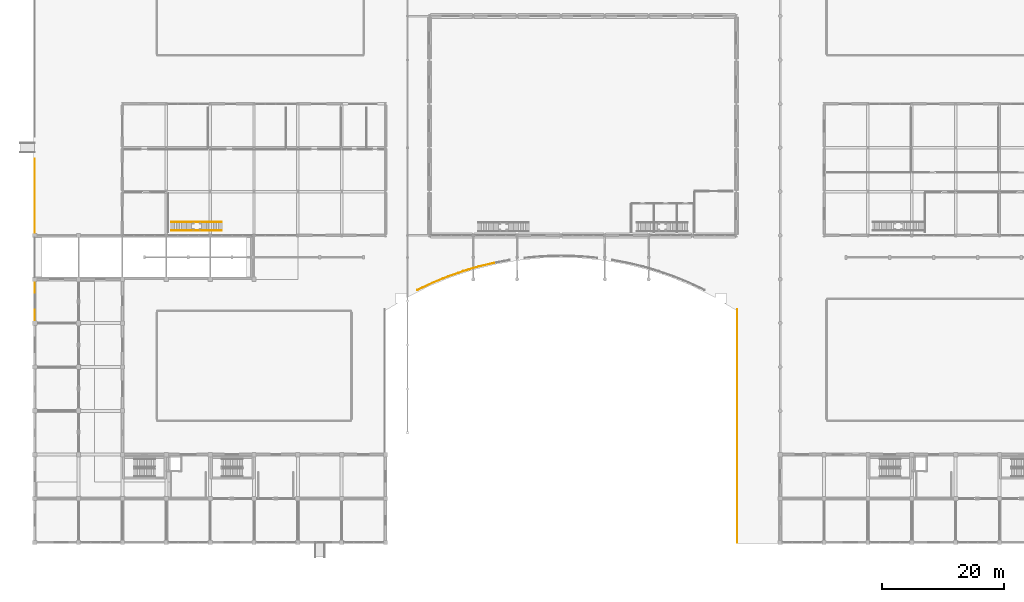
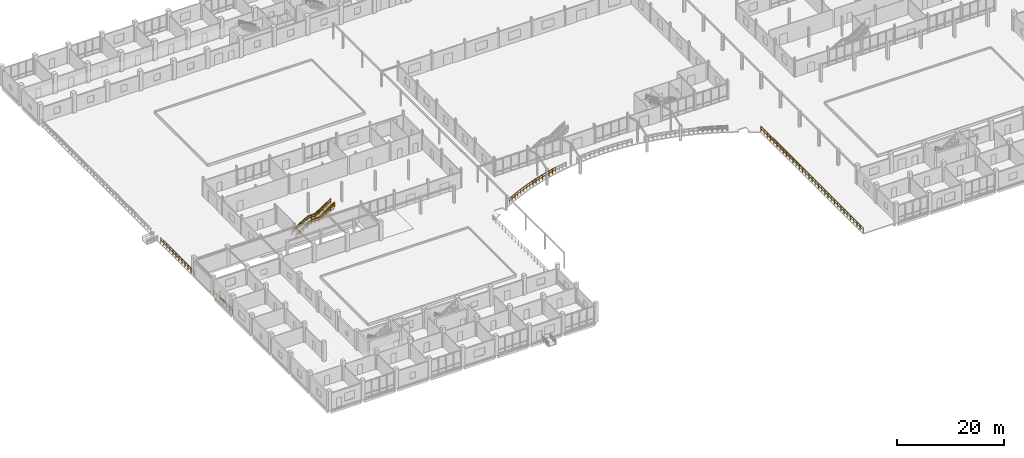
# One storey, part 131 of 139: 20 railings.
"""IFC4 building model written with IfcOpenShell, lengths in metres."""

from ifc_helpers import new_model, si_unit, direction, frame, origin, origin_2d, place, context, subcontext, project, spatial, rectangle, extrude, material, type_object, element, save


model = new_model("IFC4")

# Units and contexts
model_context = context("Model", 3, precision=1e-05, world=origin(), true_north=direction((0.0, 1.0)))
body_context = subcontext(model_context, "Body", "Model", "MODEL_VIEW")
ifc_project = project(units=[si_unit("LENGTHUNIT", "METRE"), si_unit("AREAUNIT", "SQUARE_METRE"), si_unit("VOLUMEUNIT", "CUBIC_METRE"), si_unit("PLANEANGLEUNIT", "RADIAN"), si_unit("MASSUNIT", "GRAM", prefix="KILO")], contexts=[model_context])

# Site, building, storey
site_placement = place(None, origin())
site = spatial("IfcSite", under=ifc_project, at=site_placement, CompositionType="ELEMENT")
building_placement = place(site_placement, origin())
building = spatial("IfcBuilding", under=site, at=building_placement, Name="Suanplinth Sawtooth Commons", CompositionType="ELEMENT")
storey_placement = place(building_placement, origin())
storey = spatial("IfcBuildingStorey", under=building, at=storey_placement, Name="L00", CompositionType="ELEMENT", Elevation=0.0)

# Railings
ifc_material_1 = material(Name="Powder-coated galvanized steel", Category="steel")
railing_type_1 = type_object("IfcRailingType", Name="GR-01", PredefinedType="BALUSTRADE", material=ifc_material_1)
railing_1_placement = place(storey_placement, frame((0.0, 36.10009765625, 0.0)))
element("IfcRailing", 1, at=railing_1_placement, inside=storey, type_object=railing_type_1, Name="Perimeter Plinth Balustrade RLG-PLZ-W1", PredefinedType="BALUSTRADE", context=body_context, shape_type="SweptSolid", body=[
    extrude(rectangle(XDim=0.048095703125, YDim=0.048095703125, at=origin_2d()), frame((0.0, 0.0, 1.09619140625), z_axis=(0.0, 1.0, 0.0), x_axis=(-1.0, 0.0, 0.0)), (0.0, 0.0, 1.0), 7.0498046875),
    extrude(rectangle(XDim=0.03369140625, YDim=0.03369140625, at=origin_2d()), frame((0.0, 0.0, 0.56005859375), z_axis=(0.0, 1.0, 0.0), x_axis=(-1.0, 0.0, 0.0)), (0.0, 0.0, 1.0), 7.0498046875),
    extrude(rectangle(XDim=0.0419921875, YDim=0.0419921875, at=origin_2d()), origin(), (0.0, 0.0, 1.0), 1.072021484375),
    extrude(rectangle(XDim=0.0419921875, YDim=0.0419921875, at=origin_2d()), frame((0.0, 1.175048828125, 0.0)), (0.0, 0.0, 1.0), 1.072021484375),
    extrude(rectangle(XDim=0.0419921875, YDim=0.0419921875, at=origin_2d()), frame((0.0, 2.349853515625, 0.0)), (0.0, 0.0, 1.0), 1.072021484375),
    extrude(rectangle(XDim=0.0419921875, YDim=0.0419921875, at=origin_2d()), frame((0.0, 3.52490234375, 0.0)), (0.0, 0.0, 1.0), 1.072021484375),
    extrude(rectangle(XDim=0.0419921875, YDim=0.0419921875, at=origin_2d()), frame((0.0, 4.699951171875, 0.0)), (0.0, 0.0, 1.0), 1.072021484375),
    extrude(rectangle(XDim=0.0419921875, YDim=0.0419921875, at=origin_2d()), frame((0.0, 5.874755859375, 0.0)), (0.0, 0.0, 1.0), 1.072021484375),
    extrude(rectangle(XDim=0.0419921875, YDim=0.0419921875, at=origin_2d()), frame((0.0, 7.0498046875, 0.0)), (0.0, 0.0, 1.0), 1.072021484375),
])
railing_2_placement = place(storey_placement, frame((0.0, 50.449951171875, 0.0)))
element("IfcRailing", 2, at=railing_2_placement, inside=storey, type_object=railing_type_1, Name="Perimeter Plinth Balustrade RLG-PLZ-W2", PredefinedType="BALUSTRADE", context=body_context, shape_type="SweptSolid", body=[
    extrude(rectangle(XDim=0.048095703125, YDim=0.048095703125, at=origin_2d()), frame((0.0, 0.0, 1.09619140625), z_axis=(0.0, 1.0, 0.0), x_axis=(-1.0, 0.0, 0.0)), (0.0, 0.0, 1.0), 12.5),
    extrude(rectangle(XDim=0.03369140625, YDim=0.03369140625, at=origin_2d()), frame((0.0, 0.0, 0.56005859375), z_axis=(0.0, 1.0, 0.0), x_axis=(-1.0, 0.0, 0.0)), (0.0, 0.0, 1.0), 12.5),
    extrude(rectangle(XDim=0.0419921875, YDim=0.0419921875, at=origin_2d()), origin(), (0.0, 0.0, 1.0), 1.072021484375),
    extrude(rectangle(XDim=0.0419921875, YDim=0.0419921875, at=origin_2d()), frame((0.0, 1.136474609375, 0.0)), (0.0, 0.0, 1.0), 1.072021484375),
    extrude(rectangle(XDim=0.0419921875, YDim=0.0419921875, at=origin_2d()), frame((0.0, 2.272705078125, 0.0)), (0.0, 0.0, 1.0), 1.072021484375),
    extrude(rectangle(XDim=0.0419921875, YDim=0.0419921875, at=origin_2d()), frame((0.0, 3.4091796875, 0.0)), (0.0, 0.0, 1.0), 1.072021484375),
    extrude(rectangle(XDim=0.0419921875, YDim=0.0419921875, at=origin_2d()), frame((0.0, 4.54541015625, 0.0)), (0.0, 0.0, 1.0), 1.072021484375),
    extrude(rectangle(XDim=0.0419921875, YDim=0.0419921875, at=origin_2d()), frame((0.0, 5.681884765625, 0.0)), (0.0, 0.0, 1.0), 1.072021484375),
    extrude(rectangle(XDim=0.0419921875, YDim=0.0419921875, at=origin_2d()), frame((0.0, 6.818115234375, 0.0)), (0.0, 0.0, 1.0), 1.072021484375),
    extrude(rectangle(XDim=0.0419921875, YDim=0.0419921875, at=origin_2d()), frame((0.0, 7.95458984375, 0.0)), (0.0, 0.0, 1.0), 1.072021484375),
    extrude(rectangle(XDim=0.0419921875, YDim=0.0419921875, at=origin_2d()), frame((0.0, 9.0908203125, 0.0)), (0.0, 0.0, 1.0), 1.072021484375),
    extrude(rectangle(XDim=0.0419921875, YDim=0.0419921875, at=origin_2d()), frame((0.0, 10.227294921875, 0.0)), (0.0, 0.0, 1.0), 1.072021484375),
    extrude(rectangle(XDim=0.0419921875, YDim=0.0419921875, at=origin_2d()), frame((0.0, 11.363525390625, 0.0)), (0.0, 0.0, 1.0), 1.072021484375),
    extrude(rectangle(XDim=0.0419921875, YDim=0.0419921875, at=origin_2d()), frame((0.0, 12.5, 0.0)), (0.0, 0.0, 1.0), 1.072021484375),
])
railing_type_2 = type_object("IfcRailingType", Name="GR-02", PredefinedType="BALUSTRADE", material=ifc_material_1)
railing_3_placement = place(storey_placement, frame((62.85009765625, 41.44189453125, 0.0)))
element("IfcRailing", 3, at=railing_3_placement, inside=storey, type_object=railing_type_2, Name="Forecourt Swept Rim Guardrail 1-1", PredefinedType="BALUSTRADE", context=body_context, shape_type="SweptSolid", body=[
    extrude(rectangle(XDim=0.048095703125, YDim=0.048095703125, at=origin_2d()), frame((0.0, 0.0, 1.09619140625), z_axis=(0.904372821381, 0.426743248273, 0.0), x_axis=(-0.426743248273, 0.904372821381, 0.0)), (0.0, 0.0, 1.0), 2.78271484375),
    extrude(rectangle(XDim=0.03369140625, YDim=0.03369140625, at=origin_2d()), frame((0.0, 0.0, 0.56005859375), z_axis=(0.904372821381, 0.426743248273, 0.0), x_axis=(-0.426743248273, 0.904372821381, 0.0)), (0.0, 0.0, 1.0), 2.78271484375),
    extrude(rectangle(XDim=0.0419921875, YDim=0.0419921875, at=origin_2d()), origin(), (0.0, 0.0, 1.0), 1.072021484375),
    extrude(rectangle(XDim=0.0419921875, YDim=0.0419921875, at=origin_2d()), frame((0.8388671875, 0.395751953125, 0.0)), (0.0, 0.0, 1.0), 1.072021484375),
    extrude(rectangle(XDim=0.0419921875, YDim=0.0419921875, at=origin_2d()), frame((1.677734375, 0.791748046875, 0.0)), (0.0, 0.0, 1.0), 1.072021484375),
    extrude(rectangle(XDim=0.0419921875, YDim=0.0419921875, at=origin_2d()), frame((2.5166015625, 1.1875, 0.0)), (0.0, 0.0, 1.0), 1.072021484375),
])
railing_4_placement = place(storey_placement, frame((65.36669921875, 42.62939453125, 0.0)))
element("IfcRailing", 4, at=railing_4_placement, inside=storey, type_object=railing_type_2, Name="Forecourt Swept Rim Guardrail 1-2", PredefinedType="BALUSTRADE", context=body_context, shape_type="SweptSolid", body=[
    extrude(rectangle(XDim=0.048095703125, YDim=0.048095703125, at=origin_2d()), frame((0.0, 0.0, 1.09619140625), z_axis=(0.925544095648, 0.37863983812, 0.0), x_axis=(-0.37863983812, 0.925544095648, 0.0)), (0.0, 0.0, 1.0), 2.718994140625),
    extrude(rectangle(XDim=0.03369140625, YDim=0.03369140625, at=origin_2d()), frame((0.0, 0.0, 0.56005859375), z_axis=(0.925544095648, 0.37863983812, 0.0), x_axis=(-0.37863983812, 0.925544095648, 0.0)), (0.0, 0.0, 1.0), 2.718994140625),
    extrude(rectangle(XDim=0.0419921875, YDim=0.0419921875, at=origin_2d()), origin(), (0.0, 0.0, 1.0), 1.072021484375),
    extrude(rectangle(XDim=0.0419921875, YDim=0.0419921875, at=origin_2d()), frame((0.8388671875, 0.34326171875, 0.0)), (0.0, 0.0, 1.0), 1.072021484375),
    extrude(rectangle(XDim=0.0419921875, YDim=0.0419921875, at=origin_2d()), frame((1.677734375, 0.686279296875, 0.0)), (0.0, 0.0, 1.0), 1.072021484375),
    extrude(rectangle(XDim=0.0419921875, YDim=0.0419921875, at=origin_2d()), frame((2.5166015625, 1.029541015625, 0.0)), (0.0, 0.0, 1.0), 1.072021484375),
])
railing_5_placement = place(storey_placement, frame((67.88330078125, 43.658935546875, 0.0)))
element("IfcRailing", 5, at=railing_5_placement, inside=storey, type_object=railing_type_2, Name="Forecourt Swept Rim Guardrail 1-3", PredefinedType="BALUSTRADE", context=body_context, shape_type="SweptSolid", body=[
    extrude(rectangle(XDim=0.048095703125, YDim=0.048095703125, at=origin_2d()), frame((0.0, 0.0, 1.09619140625), z_axis=(0.943852646154, 0.330366739166, 0.0), x_axis=(-0.330366739166, 0.943852646154, 0.0)), (0.0, 0.0, 1.0), 2.666259765625),
    extrude(rectangle(XDim=0.03369140625, YDim=0.03369140625, at=origin_2d()), frame((0.0, 0.0, 0.56005859375), z_axis=(0.943852646154, 0.330366739166, 0.0), x_axis=(-0.330366739166, 0.943852646154, 0.0)), (0.0, 0.0, 1.0), 2.666259765625),
    extrude(rectangle(XDim=0.0419921875, YDim=0.0419921875, at=origin_2d()), origin(), (0.0, 0.0, 1.0), 1.072021484375),
    extrude(rectangle(XDim=0.0419921875, YDim=0.0419921875, at=origin_2d()), frame((0.8388671875, 0.293701171875, 0.0)), (0.0, 0.0, 1.0), 1.072021484375),
    extrude(rectangle(XDim=0.0419921875, YDim=0.0419921875, at=origin_2d()), frame((1.677734375, 0.587158203125, 0.0)), (0.0, 0.0, 1.0), 1.072021484375),
    extrude(rectangle(XDim=0.0419921875, YDim=0.0419921875, at=origin_2d()), frame((2.5166015625, 0.880859375, 0.0)), (0.0, 0.0, 1.0), 1.072021484375),
])
railing_6_placement = place(storey_placement, frame((70.39990234375, 44.539794921875, 0.0)))
element("IfcRailing", 6, at=railing_6_placement, inside=storey, type_object=railing_type_2, Name="Forecourt Swept Rim Guardrail 1-4", PredefinedType="BALUSTRADE", context=body_context, shape_type="SweptSolid", body=[
    extrude(rectangle(XDim=0.048095703125, YDim=0.048095703125, at=origin_2d()), frame((0.0, 0.0, 1.09619140625), z_axis=(0.95934178897, 0.282246934324, 0.0), x_axis=(-0.282246934324, 0.95934178897, 0.0)), (0.0, 0.0, 1.0), 2.62353515625),
    extrude(rectangle(XDim=0.03369140625, YDim=0.03369140625, at=origin_2d()), frame((0.0, 0.0, 0.56005859375), z_axis=(0.95934178897, 0.282246934324, 0.0), x_axis=(-0.282246934324, 0.95934178897, 0.0)), (0.0, 0.0, 1.0), 2.62353515625),
    extrude(rectangle(XDim=0.0419921875, YDim=0.0419921875, at=origin_2d()), origin(), (0.0, 0.0, 1.0), 1.072021484375),
    extrude(rectangle(XDim=0.0419921875, YDim=0.0419921875, at=origin_2d()), frame((0.8388671875, 0.246826171875, 0.0)), (0.0, 0.0, 1.0), 1.072021484375),
    extrude(rectangle(XDim=0.0419921875, YDim=0.0419921875, at=origin_2d()), frame((1.677978515625, 0.49365234375, 0.0)), (0.0, 0.0, 1.0), 1.072021484375),
    extrude(rectangle(XDim=0.0419921875, YDim=0.0419921875, at=origin_2d()), frame((2.516845703125, 0.740478515625, 0.0)), (0.0, 0.0, 1.0), 1.072021484375),
])
railing_7_placement = place(storey_placement, frame((72.916748046875, 45.2802734375, 0.0)))
element("IfcRailing", 7, at=railing_7_placement, inside=storey, type_object=railing_type_2, Name="Forecourt Swept Rim Guardrail 1-5", PredefinedType="BALUSTRADE", context=body_context, shape_type="SweptSolid", body=[
    extrude(rectangle(XDim=0.048095703125, YDim=0.048095703125, at=origin_2d()), frame((0.0, 0.0, 1.09619140625), z_axis=(0.972235559472, 0.23400430957, 0.0), x_axis=(-0.23400430957, 0.972235559472, 0.0)), (0.0, 0.0, 1.0), 2.58837890625),
    extrude(rectangle(XDim=0.03369140625, YDim=0.03369140625, at=origin_2d()), frame((0.0, 0.0, 0.56005859375), z_axis=(0.972235559472, 0.23400430957, 0.0), x_axis=(-0.23400430957, 0.972235559472, 0.0)), (0.0, 0.0, 1.0), 2.58837890625),
    extrude(rectangle(XDim=0.0419921875, YDim=0.0419921875, at=origin_2d()), origin(), (0.0, 0.0, 1.0), 1.072021484375),
    extrude(rectangle(XDim=0.0419921875, YDim=0.0419921875, at=origin_2d()), frame((0.8388671875, 0.201904296875, 0.0)), (0.0, 0.0, 1.0), 1.072021484375),
    extrude(rectangle(XDim=0.0419921875, YDim=0.0419921875, at=origin_2d()), frame((1.677734375, 0.40380859375, 0.0)), (0.0, 0.0, 1.0), 1.072021484375),
    extrude(rectangle(XDim=0.0419921875, YDim=0.0419921875, at=origin_2d()), frame((2.5166015625, 0.605712890625, 0.0)), (0.0, 0.0, 1.0), 1.072021484375),
])
railing_type_3 = type_object("IfcRailingType", Name="GR-03", PredefinedType="BALUSTRADE", material=ifc_material_1)
railing_8_placement = place(storey_placement, frame((115.35009765625, 0.0, 0.0)))
element("IfcRailing", 8, at=railing_8_placement, inside=storey, type_object=railing_type_3, Name="Forecourt East Rim Guardrail", PredefinedType="BALUSTRADE", context=body_context, shape_type="SweptSolid", body=[
    extrude(rectangle(XDim=0.048095703125, YDim=0.048095703125, at=origin_2d()), frame((0.0, 0.0, 1.1259765625), z_axis=(0.0, 1.0, 0.0), x_axis=(-1.0, 0.0, 0.0)), (0.0, 0.0, 1.0), 38.24609375),
    extrude(rectangle(XDim=0.03369140625, YDim=0.03369140625, at=origin_2d()), frame((0.0, 0.0, 0.574951171875), z_axis=(0.0, 1.0, 0.0), x_axis=(-1.0, 0.0, 0.0)), (0.0, 0.0, 1.0), 38.24609375),
    extrude(rectangle(XDim=0.0419921875, YDim=0.0419921875, at=origin_2d()), origin(), (0.0, 0.0, 1.0), 1.101806640625),
    extrude(rectangle(XDim=0.0419921875, YDim=0.0419921875, at=origin_2d()), frame((0.0, 1.1953125, 0.0)), (0.0, 0.0, 1.0), 1.101806640625),
    extrude(rectangle(XDim=0.0419921875, YDim=0.0419921875, at=origin_2d()), frame((0.0, 2.390380859375, 0.0)), (0.0, 0.0, 1.0), 1.101806640625),
    extrude(rectangle(XDim=0.0419921875, YDim=0.0419921875, at=origin_2d()), frame((0.0, 3.58544921875, 0.0)), (0.0, 0.0, 1.0), 1.101806640625),
    extrude(rectangle(XDim=0.0419921875, YDim=0.0419921875, at=origin_2d()), frame((0.0, 4.78076171875, 0.0)), (0.0, 0.0, 1.0), 1.101806640625),
    extrude(rectangle(XDim=0.0419921875, YDim=0.0419921875, at=origin_2d()), frame((0.0, 5.97607421875, 0.0)), (0.0, 0.0, 1.0), 1.101806640625),
    extrude(rectangle(XDim=0.0419921875, YDim=0.0419921875, at=origin_2d()), frame((0.0, 7.171142578125, 0.0)), (0.0, 0.0, 1.0), 1.101806640625),
    extrude(rectangle(XDim=0.0419921875, YDim=0.0419921875, at=origin_2d()), frame((0.0, 8.3662109375, 0.0)), (0.0, 0.0, 1.0), 1.101806640625),
    extrude(rectangle(XDim=0.0419921875, YDim=0.0419921875, at=origin_2d()), frame((0.0, 9.5615234375, 0.0)), (0.0, 0.0, 1.0), 1.101806640625),
    extrude(rectangle(XDim=0.0419921875, YDim=0.0419921875, at=origin_2d()), frame((0.0, 10.7568359375, 0.0)), (0.0, 0.0, 1.0), 1.101806640625),
    extrude(rectangle(XDim=0.0419921875, YDim=0.0419921875, at=origin_2d()), frame((0.0, 11.951904296875, 0.0)), (0.0, 0.0, 1.0), 1.101806640625),
    extrude(rectangle(XDim=0.0419921875, YDim=0.0419921875, at=origin_2d()), frame((0.0, 13.14697265625, 0.0)), (0.0, 0.0, 1.0), 1.101806640625),
    extrude(rectangle(XDim=0.0419921875, YDim=0.0419921875, at=origin_2d()), frame((0.0, 14.34228515625, 0.0)), (0.0, 0.0, 1.0), 1.101806640625),
    extrude(rectangle(XDim=0.0419921875, YDim=0.0419921875, at=origin_2d()), frame((0.0, 15.53759765625, 0.0)), (0.0, 0.0, 1.0), 1.101806640625),
    extrude(rectangle(XDim=0.0419921875, YDim=0.0419921875, at=origin_2d()), frame((0.0, 16.732666015625, 0.0)), (0.0, 0.0, 1.0), 1.101806640625),
    extrude(rectangle(XDim=0.0419921875, YDim=0.0419921875, at=origin_2d()), frame((0.0, 17.927734375, 0.0)), (0.0, 0.0, 1.0), 1.101806640625),
    extrude(rectangle(XDim=0.0419921875, YDim=0.0419921875, at=origin_2d()), frame((0.0, 19.123046875, 0.0)), (0.0, 0.0, 1.0), 1.101806640625),
    extrude(rectangle(XDim=0.0419921875, YDim=0.0419921875, at=origin_2d()), frame((0.0, 20.318359375, 0.0)), (0.0, 0.0, 1.0), 1.101806640625),
    extrude(rectangle(XDim=0.0419921875, YDim=0.0419921875, at=origin_2d()), frame((0.0, 21.513427734375, 0.0)), (0.0, 0.0, 1.0), 1.101806640625),
    extrude(rectangle(XDim=0.0419921875, YDim=0.0419921875, at=origin_2d()), frame((0.0, 22.70849609375, 0.0)), (0.0, 0.0, 1.0), 1.101806640625),
    extrude(rectangle(XDim=0.0419921875, YDim=0.0419921875, at=origin_2d()), frame((0.0, 23.90380859375, 0.0)), (0.0, 0.0, 1.0), 1.101806640625),
    extrude(rectangle(XDim=0.0419921875, YDim=0.0419921875, at=origin_2d()), frame((0.0, 25.09912109375, 0.0)), (0.0, 0.0, 1.0), 1.101806640625),
    extrude(rectangle(XDim=0.0419921875, YDim=0.0419921875, at=origin_2d()), frame((0.0, 26.294189453125, 0.0)), (0.0, 0.0, 1.0), 1.101806640625),
    extrude(rectangle(XDim=0.0419921875, YDim=0.0419921875, at=origin_2d()), frame((0.0, 27.4892578125, 0.0)), (0.0, 0.0, 1.0), 1.101806640625),
    extrude(rectangle(XDim=0.0419921875, YDim=0.0419921875, at=origin_2d()), frame((0.0, 28.6845703125, 0.0)), (0.0, 0.0, 1.0), 1.101806640625),
    extrude(rectangle(XDim=0.0419921875, YDim=0.0419921875, at=origin_2d()), frame((0.0, 29.8798828125, 0.0)), (0.0, 0.0, 1.0), 1.101806640625),
    extrude(rectangle(XDim=0.0419921875, YDim=0.0419921875, at=origin_2d()), frame((0.0, 31.074951171875, 0.0)), (0.0, 0.0, 1.0), 1.101806640625),
    extrude(rectangle(XDim=0.0419921875, YDim=0.0419921875, at=origin_2d()), frame((0.0, 32.27001953125, 0.0)), (0.0, 0.0, 1.0), 1.101806640625),
    extrude(rectangle(XDim=0.0419921875, YDim=0.0419921875, at=origin_2d()), frame((0.0, 33.46533203125, 0.0)), (0.0, 0.0, 1.0), 1.101806640625),
    extrude(rectangle(XDim=0.0419921875, YDim=0.0419921875, at=origin_2d()), frame((0.0, 34.66064453125, 0.0)), (0.0, 0.0, 1.0), 1.101806640625),
    extrude(rectangle(XDim=0.0419921875, YDim=0.0419921875, at=origin_2d()), frame((0.0, 35.855712890625, 0.0)), (0.0, 0.0, 1.0), 1.101806640625),
    extrude(rectangle(XDim=0.0419921875, YDim=0.0419921875, at=origin_2d()), frame((0.0, 37.05078125, 0.0)), (0.0, 0.0, 1.0), 1.101806640625),
    extrude(rectangle(XDim=0.0419921875, YDim=0.0419921875, at=origin_2d()), frame((0.0, 38.24609375, 0.0)), (0.0, 0.0, 1.0), 1.101806640625),
])
ifc_material_2 = material(Name="Stainless steel Grade 304", Category="steel")
railing_type_4 = type_object("IfcRailingType", Name="GR-04", PredefinedType="GUARDRAIL", material=ifc_material_2)
railing_9_placement = place(storey_placement, frame((22.39990234375, 51.199951171875, 0.173095703125)))
element("IfcRailing", 9, at=railing_9_placement, inside=storey, type_object=railing_type_4, Name="West Market Mezzanine Stair Guard 1-1", PredefinedType="GUARDRAIL", context=body_context, shape_type="SweptSolid", body=[
    extrude(rectangle(XDim=0.048095703125, YDim=0.048095703125, at=origin_2d()), frame((0.0, 0.0, 1.076171875), z_axis=(0.850623216509, 0.0, 0.525775754039), x_axis=(0.0, 1.0, 0.0)), (0.0, 0.0, 1.0), 3.9501953125),
    extrude(rectangle(XDim=0.03369140625, YDim=0.03369140625, at=origin_2d()), frame((0.0, 0.0, 0.550048828125), z_axis=(0.850623216509, 0.0, 0.525775754039), x_axis=(0.0, 1.0, 0.0)), (0.0, 0.0, 1.0), 3.9501953125),
    extrude(rectangle(XDim=0.0419921875, YDim=0.0419921875, at=origin_2d()), origin(), (0.0, 0.0, 1.0), 1.052001953125),
    extrude(rectangle(XDim=0.0419921875, YDim=0.0419921875, at=origin_2d()), frame((0.840087890625, 0.0, 0.519287109375)), (0.0, 0.0, 1.0), 1.052001953125),
    extrude(rectangle(XDim=0.0419921875, YDim=0.0419921875, at=origin_2d()), frame((1.68017578125, 0.0, 1.03857421875)), (0.0, 0.0, 1.0), 1.052001953125),
    extrude(rectangle(XDim=0.0419921875, YDim=0.0419921875, at=origin_2d()), frame((2.52001953125, 0.0, 1.5576171875)), (0.0, 0.0, 1.0), 1.052001953125),
    extrude(rectangle(XDim=0.0419921875, YDim=0.0419921875, at=origin_2d()), frame((3.360107421875, 0.0, 2.076904296875)), (0.0, 0.0, 1.0), 1.052001953125),
])
railing_10_placement = place(storey_placement, frame((25.760009765625, 51.199951171875, 2.25)))
element("IfcRailing", 10, at=railing_10_placement, inside=storey, type_object=railing_type_4, Name="West Market Mezzanine Stair Guard 1-2", PredefinedType="GUARDRAIL", context=body_context, shape_type="SweptSolid", body=[
    extrude(rectangle(XDim=0.048095703125, YDim=0.048095703125, at=origin_2d()), frame((0.0, 0.0, 1.076171875), z_axis=(1.0, 0.0, 0.0), x_axis=(0.0, 1.0, 0.0)), (0.0, 0.0, 1.0), 1.60009765625),
    extrude(rectangle(XDim=0.03369140625, YDim=0.03369140625, at=origin_2d()), frame((0.0, 0.0, 0.550048828125), z_axis=(1.0, 0.0, 0.0), x_axis=(0.0, 1.0, 0.0)), (0.0, 0.0, 1.0), 1.60009765625),
    extrude(rectangle(XDim=0.0419921875, YDim=0.0419921875, at=origin_2d()), origin(), (0.0, 0.0, 1.0), 1.052001953125),
    extrude(rectangle(XDim=0.0419921875, YDim=0.0419921875, at=origin_2d()), frame((0.800048828125, 0.0, 0.0)), (0.0, 0.0, 1.0), 1.052001953125),
    extrude(rectangle(XDim=0.0419921875, YDim=0.0419921875, at=origin_2d()), frame((1.60009765625, 0.0, 0.0)), (0.0, 0.0, 1.0), 1.052001953125),
])
railing_11_placement = place(storey_placement, frame((27.360107421875, 51.199951171875, 2.25)))
element("IfcRailing", 11, at=railing_11_placement, inside=storey, type_object=railing_type_4, Name="West Market Mezzanine Stair Guard 1-3", PredefinedType="GUARDRAIL", context=body_context, shape_type="SweptSolid", body=[
    extrude(rectangle(XDim=0.048095703125, YDim=0.048095703125, at=origin_2d()), frame((0.0, 0.0, 1.076171875), z_axis=(0.830896709279, 0.0, 0.556426687452), x_axis=(0.0, 1.0, 0.0)), (0.0, 0.0, 1.0), 4.043701171875),
    extrude(rectangle(XDim=0.03369140625, YDim=0.03369140625, at=origin_2d()), frame((0.0, 0.0, 0.550048828125), z_axis=(0.830896709279, 0.0, 0.556426687452), x_axis=(0.0, 1.0, 0.0)), (0.0, 0.0, 1.0), 4.043701171875),
    extrude(rectangle(XDim=0.0419921875, YDim=0.0419921875, at=origin_2d()), origin(), (0.0, 0.0, 1.0), 1.052001953125),
    extrude(rectangle(XDim=0.0419921875, YDim=0.0419921875, at=origin_2d()), frame((0.83984375, 0.0, 0.5625)), (0.0, 0.0, 1.0), 1.052001953125),
    extrude(rectangle(XDim=0.0419921875, YDim=0.0419921875, at=origin_2d()), frame((1.679931640625, 0.0, 1.125)), (0.0, 0.0, 1.0), 1.052001953125),
    extrude(rectangle(XDim=0.0419921875, YDim=0.0419921875, at=origin_2d()), frame((2.52001953125, 0.0, 1.6875)), (0.0, 0.0, 1.0), 1.052001953125),
    extrude(rectangle(XDim=0.0419921875, YDim=0.0419921875, at=origin_2d()), frame((3.35986328125, 0.0, 2.25)), (0.0, 0.0, 1.0), 1.052001953125),
])
railing_12_placement = place(storey_placement, frame((22.39990234375, 52.60009765625, 0.173095703125)))
element("IfcRailing", 12, at=railing_12_placement, inside=storey, type_object=railing_type_4, Name="West Market Mezzanine Stair Guard 2-1", PredefinedType="GUARDRAIL", context=body_context, shape_type="SweptSolid", body=[
    extrude(rectangle(XDim=0.048095703125, YDim=0.048095703125, at=origin_2d()), frame((0.0, 0.0, 1.076171875), z_axis=(0.850623216509, 0.0, 0.525775754039), x_axis=(0.0, 1.0, 0.0)), (0.0, 0.0, 1.0), 3.9501953125),
    extrude(rectangle(XDim=0.03369140625, YDim=0.03369140625, at=origin_2d()), frame((0.0, 0.0, 0.550048828125), z_axis=(0.850623216509, 0.0, 0.525775754039), x_axis=(0.0, 1.0, 0.0)), (0.0, 0.0, 1.0), 3.9501953125),
    extrude(rectangle(XDim=0.0419921875, YDim=0.0419921875, at=origin_2d()), origin(), (0.0, 0.0, 1.0), 1.052001953125),
    extrude(rectangle(XDim=0.0419921875, YDim=0.0419921875, at=origin_2d()), frame((0.840087890625, 0.0, 0.519287109375)), (0.0, 0.0, 1.0), 1.052001953125),
    extrude(rectangle(XDim=0.0419921875, YDim=0.0419921875, at=origin_2d()), frame((1.68017578125, 0.0, 1.03857421875)), (0.0, 0.0, 1.0), 1.052001953125),
    extrude(rectangle(XDim=0.0419921875, YDim=0.0419921875, at=origin_2d()), frame((2.52001953125, 0.0, 1.5576171875)), (0.0, 0.0, 1.0), 1.052001953125),
    extrude(rectangle(XDim=0.0419921875, YDim=0.0419921875, at=origin_2d()), frame((3.360107421875, 0.0, 2.076904296875)), (0.0, 0.0, 1.0), 1.052001953125),
])
railing_13_placement = place(storey_placement, frame((25.760009765625, 52.60009765625, 2.25)))
element("IfcRailing", 13, at=railing_13_placement, inside=storey, type_object=railing_type_4, Name="West Market Mezzanine Stair Guard 2-2", PredefinedType="GUARDRAIL", context=body_context, shape_type="SweptSolid", body=[
    extrude(rectangle(XDim=0.048095703125, YDim=0.048095703125, at=origin_2d()), frame((0.0, 0.0, 1.076171875), z_axis=(1.0, 0.0, 0.0), x_axis=(0.0, 1.0, 0.0)), (0.0, 0.0, 1.0), 1.60009765625),
    extrude(rectangle(XDim=0.03369140625, YDim=0.03369140625, at=origin_2d()), frame((0.0, 0.0, 0.550048828125), z_axis=(1.0, 0.0, 0.0), x_axis=(0.0, 1.0, 0.0)), (0.0, 0.0, 1.0), 1.60009765625),
    extrude(rectangle(XDim=0.0419921875, YDim=0.0419921875, at=origin_2d()), origin(), (0.0, 0.0, 1.0), 1.052001953125),
    extrude(rectangle(XDim=0.0419921875, YDim=0.0419921875, at=origin_2d()), frame((0.800048828125, 0.0, 0.0)), (0.0, 0.0, 1.0), 1.052001953125),
    extrude(rectangle(XDim=0.0419921875, YDim=0.0419921875, at=origin_2d()), frame((1.60009765625, 0.0, 0.0)), (0.0, 0.0, 1.0), 1.052001953125),
])
railing_14_placement = place(storey_placement, frame((27.360107421875, 52.60009765625, 2.25)))
element("IfcRailing", 14, at=railing_14_placement, inside=storey, type_object=railing_type_4, Name="West Market Mezzanine Stair Guard 2-3", PredefinedType="GUARDRAIL", context=body_context, shape_type="SweptSolid", body=[
    extrude(rectangle(XDim=0.048095703125, YDim=0.048095703125, at=origin_2d()), frame((0.0, 0.0, 1.076171875), z_axis=(0.830896709279, 0.0, 0.556426687452), x_axis=(0.0, 1.0, 0.0)), (0.0, 0.0, 1.0), 4.043701171875),
    extrude(rectangle(XDim=0.03369140625, YDim=0.03369140625, at=origin_2d()), frame((0.0, 0.0, 0.550048828125), z_axis=(0.830896709279, 0.0, 0.556426687452), x_axis=(0.0, 1.0, 0.0)), (0.0, 0.0, 1.0), 4.043701171875),
    extrude(rectangle(XDim=0.0419921875, YDim=0.0419921875, at=origin_2d()), origin(), (0.0, 0.0, 1.0), 1.052001953125),
    extrude(rectangle(XDim=0.0419921875, YDim=0.0419921875, at=origin_2d()), frame((0.83984375, 0.0, 0.5625)), (0.0, 0.0, 1.0), 1.052001953125),
    extrude(rectangle(XDim=0.0419921875, YDim=0.0419921875, at=origin_2d()), frame((1.679931640625, 0.0, 1.125)), (0.0, 0.0, 1.0), 1.052001953125),
    extrude(rectangle(XDim=0.0419921875, YDim=0.0419921875, at=origin_2d()), frame((2.52001953125, 0.0, 1.6875)), (0.0, 0.0, 1.0), 1.052001953125),
    extrude(rectangle(XDim=0.0419921875, YDim=0.0419921875, at=origin_2d()), frame((3.35986328125, 0.0, 2.25)), (0.0, 0.0, 1.0), 1.052001953125),
])
railing_type_5 = type_object("IfcRailingType", Name="HR-01", PredefinedType="HANDRAIL", material=ifc_material_2)
railing_15_placement = place(storey_placement, frame((22.39990234375, 51.199951171875, 0.173095703125)))
element("IfcRailing", 15, at=railing_15_placement, inside=storey, type_object=railing_type_5, Name="West Market Mezzanine Stair Handrail 1-1", PredefinedType="HANDRAIL", context=body_context, shape_type="SweptSolid", body=[
    extrude(rectangle(XDim=0.048095703125, YDim=0.048095703125, at=origin_2d()), frame((0.0, 0.0, 0.8759765625), z_axis=(0.850623216509, 0.0, 0.525775754039), x_axis=(0.0, 1.0, 0.0)), (0.0, 0.0, 1.0), 3.9501953125),
    extrude(rectangle(XDim=0.03369140625, YDim=0.03369140625, at=origin_2d()), frame((0.0, 0.0, 0.449951171875), z_axis=(0.850623216509, 0.0, 0.525775754039), x_axis=(0.0, 1.0, 0.0)), (0.0, 0.0, 1.0), 3.9501953125),
    extrude(rectangle(XDim=0.0419921875, YDim=0.0419921875, at=origin_2d()), origin(), (0.0, 0.0, 1.0), 0.851806640625),
    extrude(rectangle(XDim=0.0419921875, YDim=0.0419921875, at=origin_2d()), frame((0.840087890625, 0.0, 0.519287109375)), (0.0, 0.0, 1.0), 0.851806640625),
    extrude(rectangle(XDim=0.0419921875, YDim=0.0419921875, at=origin_2d()), frame((1.68017578125, 0.0, 1.03857421875)), (0.0, 0.0, 1.0), 0.851806640625),
    extrude(rectangle(XDim=0.0419921875, YDim=0.0419921875, at=origin_2d()), frame((2.52001953125, 0.0, 1.5576171875)), (0.0, 0.0, 1.0), 0.851806640625),
    extrude(rectangle(XDim=0.0419921875, YDim=0.0419921875, at=origin_2d()), frame((3.360107421875, 0.0, 2.076904296875)), (0.0, 0.0, 1.0), 0.851806640625),
])
railing_16_placement = place(storey_placement, frame((25.760009765625, 51.199951171875, 2.25)))
element("IfcRailing", 16, at=railing_16_placement, inside=storey, type_object=railing_type_5, Name="West Market Mezzanine Stair Handrail 1-2", PredefinedType="HANDRAIL", context=body_context, shape_type="SweptSolid", body=[
    extrude(rectangle(XDim=0.048095703125, YDim=0.048095703125, at=origin_2d()), frame((0.0, 0.0, 0.8759765625), z_axis=(1.0, 0.0, 0.0), x_axis=(0.0, 1.0, 0.0)), (0.0, 0.0, 1.0), 1.60009765625),
    extrude(rectangle(XDim=0.03369140625, YDim=0.03369140625, at=origin_2d()), frame((0.0, 0.0, 0.449951171875), z_axis=(1.0, 0.0, 0.0), x_axis=(0.0, 1.0, 0.0)), (0.0, 0.0, 1.0), 1.60009765625),
    extrude(rectangle(XDim=0.0419921875, YDim=0.0419921875, at=origin_2d()), origin(), (0.0, 0.0, 1.0), 0.851806640625),
    extrude(rectangle(XDim=0.0419921875, YDim=0.0419921875, at=origin_2d()), frame((0.800048828125, 0.0, 0.0)), (0.0, 0.0, 1.0), 0.851806640625),
    extrude(rectangle(XDim=0.0419921875, YDim=0.0419921875, at=origin_2d()), frame((1.60009765625, 0.0, 0.0)), (0.0, 0.0, 1.0), 0.851806640625),
])
railing_17_placement = place(storey_placement, frame((27.360107421875, 51.199951171875, 2.25)))
element("IfcRailing", 17, at=railing_17_placement, inside=storey, type_object=railing_type_5, Name="West Market Mezzanine Stair Handrail 1-3", PredefinedType="HANDRAIL", context=body_context, shape_type="SweptSolid", body=[
    extrude(rectangle(XDim=0.048095703125, YDim=0.048095703125, at=origin_2d()), frame((0.0, 0.0, 0.8759765625), z_axis=(0.830896709279, 0.0, 0.556426687452), x_axis=(0.0, 1.0, 0.0)), (0.0, 0.0, 1.0), 4.043701171875),
    extrude(rectangle(XDim=0.03369140625, YDim=0.03369140625, at=origin_2d()), frame((0.0, 0.0, 0.449951171875), z_axis=(0.830896709279, 0.0, 0.556426687452), x_axis=(0.0, 1.0, 0.0)), (0.0, 0.0, 1.0), 4.043701171875),
    extrude(rectangle(XDim=0.0419921875, YDim=0.0419921875, at=origin_2d()), origin(), (0.0, 0.0, 1.0), 0.851806640625),
    extrude(rectangle(XDim=0.0419921875, YDim=0.0419921875, at=origin_2d()), frame((0.83984375, 0.0, 0.5625)), (0.0, 0.0, 1.0), 0.851806640625),
    extrude(rectangle(XDim=0.0419921875, YDim=0.0419921875, at=origin_2d()), frame((1.679931640625, 0.0, 1.125)), (0.0, 0.0, 1.0), 0.851806640625),
    extrude(rectangle(XDim=0.0419921875, YDim=0.0419921875, at=origin_2d()), frame((2.52001953125, 0.0, 1.6875)), (0.0, 0.0, 1.0), 0.851806640625),
    extrude(rectangle(XDim=0.0419921875, YDim=0.0419921875, at=origin_2d()), frame((3.35986328125, 0.0, 2.25)), (0.0, 0.0, 1.0), 0.851806640625),
])
railing_18_placement = place(storey_placement, frame((22.39990234375, 52.60009765625, 0.173095703125)))
element("IfcRailing", 18, at=railing_18_placement, inside=storey, type_object=railing_type_5, Name="West Market Mezzanine Stair Handrail 2-1", PredefinedType="HANDRAIL", context=body_context, shape_type="SweptSolid", body=[
    extrude(rectangle(XDim=0.048095703125, YDim=0.048095703125, at=origin_2d()), frame((0.0, 0.0, 0.8759765625), z_axis=(0.850623216509, 0.0, 0.525775754039), x_axis=(0.0, 1.0, 0.0)), (0.0, 0.0, 1.0), 3.9501953125),
    extrude(rectangle(XDim=0.03369140625, YDim=0.03369140625, at=origin_2d()), frame((0.0, 0.0, 0.449951171875), z_axis=(0.850623216509, 0.0, 0.525775754039), x_axis=(0.0, 1.0, 0.0)), (0.0, 0.0, 1.0), 3.9501953125),
    extrude(rectangle(XDim=0.0419921875, YDim=0.0419921875, at=origin_2d()), origin(), (0.0, 0.0, 1.0), 0.851806640625),
    extrude(rectangle(XDim=0.0419921875, YDim=0.0419921875, at=origin_2d()), frame((0.840087890625, 0.0, 0.519287109375)), (0.0, 0.0, 1.0), 0.851806640625),
    extrude(rectangle(XDim=0.0419921875, YDim=0.0419921875, at=origin_2d()), frame((1.68017578125, 0.0, 1.03857421875)), (0.0, 0.0, 1.0), 0.851806640625),
    extrude(rectangle(XDim=0.0419921875, YDim=0.0419921875, at=origin_2d()), frame((2.52001953125, 0.0, 1.5576171875)), (0.0, 0.0, 1.0), 0.851806640625),
    extrude(rectangle(XDim=0.0419921875, YDim=0.0419921875, at=origin_2d()), frame((3.360107421875, 0.0, 2.076904296875)), (0.0, 0.0, 1.0), 0.851806640625),
])
railing_19_placement = place(storey_placement, frame((25.760009765625, 52.60009765625, 2.25)))
element("IfcRailing", 19, at=railing_19_placement, inside=storey, type_object=railing_type_5, Name="West Market Mezzanine Stair Handrail 2-2", PredefinedType="HANDRAIL", context=body_context, shape_type="SweptSolid", body=[
    extrude(rectangle(XDim=0.048095703125, YDim=0.048095703125, at=origin_2d()), frame((0.0, 0.0, 0.8759765625), z_axis=(1.0, 0.0, 0.0), x_axis=(0.0, 1.0, 0.0)), (0.0, 0.0, 1.0), 1.60009765625),
    extrude(rectangle(XDim=0.03369140625, YDim=0.03369140625, at=origin_2d()), frame((0.0, 0.0, 0.449951171875), z_axis=(1.0, 0.0, 0.0), x_axis=(0.0, 1.0, 0.0)), (0.0, 0.0, 1.0), 1.60009765625),
    extrude(rectangle(XDim=0.0419921875, YDim=0.0419921875, at=origin_2d()), origin(), (0.0, 0.0, 1.0), 0.851806640625),
    extrude(rectangle(XDim=0.0419921875, YDim=0.0419921875, at=origin_2d()), frame((0.800048828125, 0.0, 0.0)), (0.0, 0.0, 1.0), 0.851806640625),
    extrude(rectangle(XDim=0.0419921875, YDim=0.0419921875, at=origin_2d()), frame((1.60009765625, 0.0, 0.0)), (0.0, 0.0, 1.0), 0.851806640625),
])
railing_20_placement = place(storey_placement, frame((27.360107421875, 52.60009765625, 2.25)))
element("IfcRailing", 20, at=railing_20_placement, inside=storey, type_object=railing_type_5, Name="West Market Mezzanine Stair Handrail 2-3", PredefinedType="HANDRAIL", context=body_context, shape_type="SweptSolid", body=[
    extrude(rectangle(XDim=0.048095703125, YDim=0.048095703125, at=origin_2d()), frame((0.0, 0.0, 0.8759765625), z_axis=(0.830896709279, 0.0, 0.556426687452), x_axis=(0.0, 1.0, 0.0)), (0.0, 0.0, 1.0), 4.043701171875),
    extrude(rectangle(XDim=0.03369140625, YDim=0.03369140625, at=origin_2d()), frame((0.0, 0.0, 0.449951171875), z_axis=(0.830896709279, 0.0, 0.556426687452), x_axis=(0.0, 1.0, 0.0)), (0.0, 0.0, 1.0), 4.043701171875),
    extrude(rectangle(XDim=0.0419921875, YDim=0.0419921875, at=origin_2d()), origin(), (0.0, 0.0, 1.0), 0.851806640625),
    extrude(rectangle(XDim=0.0419921875, YDim=0.0419921875, at=origin_2d()), frame((0.83984375, 0.0, 0.5625)), (0.0, 0.0, 1.0), 0.851806640625),
    extrude(rectangle(XDim=0.0419921875, YDim=0.0419921875, at=origin_2d()), frame((1.679931640625, 0.0, 1.125)), (0.0, 0.0, 1.0), 0.851806640625),
    extrude(rectangle(XDim=0.0419921875, YDim=0.0419921875, at=origin_2d()), frame((2.52001953125, 0.0, 1.6875)), (0.0, 0.0, 1.0), 0.851806640625),
    extrude(rectangle(XDim=0.0419921875, YDim=0.0419921875, at=origin_2d()), frame((3.35986328125, 0.0, 2.25)), (0.0, 0.0, 1.0), 0.851806640625),
])

save(model, "model.ifc")
